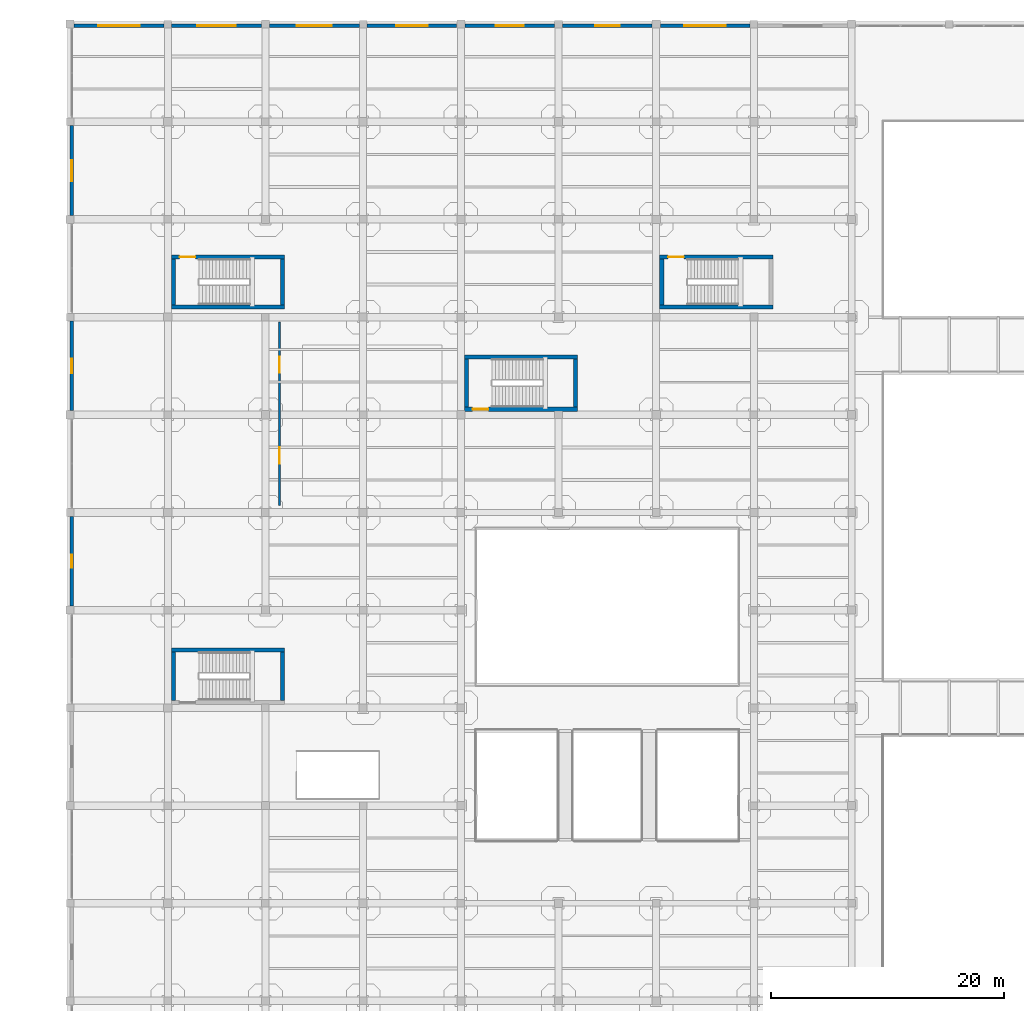
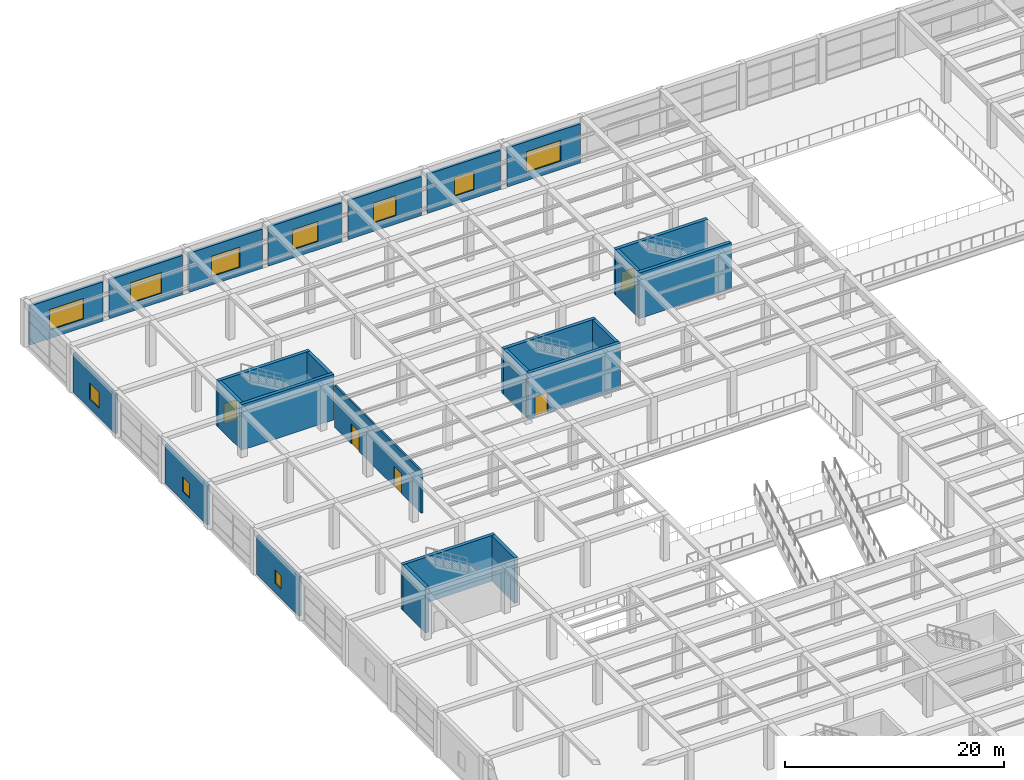
# One storey, part 49 of 65: 25 walls, 10 windows, 5 doors, 15 openings.
"""IFC4 building model written with IfcOpenShell, lengths in metres."""

import ifcopenshell
import ifcopenshell.guid

model = None  # the IFC model being written
_history = None  # IfcOwnerHistory: only IFC2X3 demands one
_inside = {}  # id of a spatial element -> (the spatial element, [elements in it])
_under = {}  # id of a project, library or spatial element -> (it, [spatial elements below it])
_declared = {}  # id of a project -> (the project, [libraries it declares])
_typed = {}  # id of a type object -> (the type object, [elements of that type])
_made_of = {}  # id of a material, layer set ... -> (it, [elements and type objects made of it])


def new_model(schema):
    """Start an empty IFC model of exactly this schema.

    Asked for "IFC4X3", IfcOpenShell would pick the latest addendum, in which some entities
    have other attributes; the version numbers below select the first issue.
    IFC2X3 requires an IfcOwnerHistory on every rooted entity: one is made here for all.
    """
    global model, _history
    if schema == "IFC4X3":
        model = ifcopenshell.file(schema_version=(4, 3, 0, 0))
    else:
        model = ifcopenshell.file(schema=schema)
    _inside.clear()
    _under.clear()
    _declared.clear()
    _typed.clear()
    _made_of.clear()
    _history = None
    if model.schema == "IFC2X3":
        org = make("IfcOrganization", Name="unknown")
        user = make(
            "IfcPersonAndOrganization",
            ThePerson=make("IfcPerson", FamilyName="unknown"),
            TheOrganization=org,
        )
        app = make(
            "IfcApplication",
            ApplicationDeveloper=org,
            Version="unknown",
            ApplicationFullName="unknown",
            ApplicationIdentifier="unknown",
        )
        _history = make(
            "IfcOwnerHistory",
            OwningUser=user,
            OwningApplication=app,
            ChangeAction="ADDED",
            CreationDate=0,
        )
    return model


def make(cls, **values):
    """One entity of the class cls with the attributes given. An attribute that is None is left unset."""
    return model.create_entity(
        cls, **{name: value for name, value in values.items() if value is not None}
    )


def rooted(cls, **values):
    """An entity with a GlobalId (a new one), such as an element, a storey or a relation."""
    return make(cls, GlobalId=ifcopenshell.guid.new(), OwnerHistory=_history, **values)


def si_unit(unit_type, name, prefix=None):
    """IfcSIUnit, for example si_unit("LENGTHUNIT", "METRE", prefix="MILLI")."""
    return make("IfcSIUnit", UnitType=unit_type, Prefix=prefix, Name=name)


def assignment(units):
    """IfcUnitAssignment: the units of a project."""
    return None if units is None else make("IfcUnitAssignment", Units=units)


def point(xyz):
    """IfcCartesianPoint."""
    return None if xyz is None else make("IfcCartesianPoint", Coordinates=xyz)


def direction(xyz):
    """IfcDirection."""
    return None if xyz is None else make("IfcDirection", DirectionRatios=xyz)


def frame(location, z_axis=None, x_axis=None):
    """IfcAxis2Placement3D, a coordinate frame: its origin and axes. An axis left out is left unset."""
    return make(
        "IfcAxis2Placement3D",
        Location=point(location),
        Axis=direction(z_axis),
        RefDirection=direction(x_axis),
    )


def frame_2d(location, x_axis=None):
    """IfcAxis2Placement2D, a coordinate frame in the plane: its origin and x axis."""
    return make(
        "IfcAxis2Placement2D", Location=point(location), RefDirection=direction(x_axis)
    )


def origin():
    """The frame at (0, 0, 0) with its axes left unset."""
    return frame((0.0, 0.0, 0.0))


def place(relative_to, where):
    """IfcLocalPlacement: puts the frame where relative to a parent placement (None: the world)."""
    return make(
        "IfcLocalPlacement", PlacementRelTo=relative_to, RelativePlacement=where
    )


def context(
    kind, dimensions, precision=None, world=None, true_north=None, identifier=None
):
    """IfcGeometricRepresentationContext, for example the 3D "Model" context."""
    return make(
        "IfcGeometricRepresentationContext",
        ContextIdentifier=identifier,
        ContextType=kind,
        CoordinateSpaceDimension=dimensions,
        Precision=precision,
        WorldCoordinateSystem=world,
        TrueNorth=true_north,
    )


def subcontext(parent, identifier, kind, view, scale=None):
    """IfcGeometricRepresentationSubContext, for example "Body" below "Model"."""
    return make(
        "IfcGeometricRepresentationSubContext",
        ContextIdentifier=identifier,
        ContextType=kind,
        ParentContext=parent,
        TargetScale=scale,
        TargetView=view,
    )


def project(units=None, contexts=None):
    """IfcProject with its units and contexts."""
    return rooted(
        "IfcProject",
        Name="project",
        RepresentationContexts=contexts,
        UnitsInContext=assignment(units),
    )


def spatial(cls, under=None, at=None, **own):
    """A site, building, storey or space (cls), placed at a placement, below another one or the project."""
    s = rooted(cls, ObjectPlacement=at, **own)
    if under is not None:
        _under.setdefault(under.id(), (under, []))[1].append(s)
    return s


def profile(cls, at=None, kind="AREA", **sizes):
    """A parametric profile (cls). Its sizes go by their IFC names, for example OverallWidth=200.0."""
    return make(cls, ProfileType=kind, Position=at, **sizes)


def rectangle(**sizes):
    """IfcRectangleProfileDef."""
    return profile("IfcRectangleProfileDef", **sizes)


def extrude(swept, where, along, depth):
    """IfcExtrudedAreaSolid: the profile swept, set in the frame where, extruded along a direction by depth."""
    return make(
        "IfcExtrudedAreaSolid",
        SweptArea=swept,
        Position=where,
        ExtrudedDirection=direction(along),
        Depth=depth,
    )


def shape(context_of_items, identifier, shape_type, items):
    """IfcShapeRepresentation: the items that make up one representation, for example the "Body"."""
    return make(
        "IfcShapeRepresentation",
        ContextOfItems=context_of_items,
        RepresentationIdentifier=identifier,
        RepresentationType=shape_type,
        Items=items,
    )


def material(Name=None, Category=None):
    """IfcMaterial."""
    return make("IfcMaterial", Name=Name, Category=Category)


def layer(
    of_material, thickness, ventilated=None, Name=None, Category=None, Priority=None
):
    """IfcMaterialLayer: one layer of a wall or slab, of a material (None: an air gap)."""
    return make(
        "IfcMaterialLayer",
        Material=of_material,
        LayerThickness=thickness,
        IsVentilated=ventilated,
        Name=Name,
        Category=Category,
        Priority=Priority,
    )


def layer_set(layers, Name=None):
    """IfcMaterialLayerSet."""
    return make("IfcMaterialLayerSet", MaterialLayers=layers, LayerSetName=Name)


def made_of(thing, what):
    """Note that an element or type object is made of a material, layer set ...; save() writes the relation."""
    if what is not None:
        _made_of.setdefault(what.id(), (what, []))[1].append(thing)
    return thing


def type_object(cls, material=None, **own):
    """A type object (cls), such as IfcWallType, which elements share."""
    return made_of(rooted(cls, **own), material)


def element(
    cls,
    number,
    at=None,
    inside=None,
    cuts=None,
    type_object=None,
    material=None,
    context=None,
    identifier="Body",
    shape_type=None,
    held_by="IfcProductDefinitionShape",
    body=None,
    shapes=None,
    **own,
):
    """One element of the class cls, such as IfcWall. Its Tag is "e" and its number.

    at: its placement. inside: the storey or other place that contains it. cuts: it is an
    opening in that element (IfcRelVoidsElement). A single representation is given by context,
    identifier, shape_type and body (its items); several are given by shapes. held_by: the class
    of the entity that holds the representations. save() writes the other relations.
    """
    e = rooted(cls, Tag="e%d" % number, ObjectPlacement=at, **own)
    if body is not None:
        shapes = [shape(context, identifier, shape_type, body)]
    if shapes is not None:
        e.Representation = make(held_by, Representations=shapes)
    if inside is not None:
        _inside.setdefault(inside.id(), (inside, []))[1].append(e)
    if cuts is not None:
        rooted(
            "IfcRelVoidsElement", RelatingBuildingElement=cuts, RelatedOpeningElement=e
        )
    if type_object is not None:
        _typed.setdefault(type_object.id(), (type_object, []))[1].append(e)
    return made_of(e, material)


def fill(opening, filler):
    """IfcRelFillsElement: the door or window that sits in an opening."""
    return rooted(
        "IfcRelFillsElement",
        RelatingOpeningElement=opening,
        RelatedBuildingElement=filler,
    )


def aggregate(whole, parts):
    """IfcRelAggregates: a whole, such as a stair, and the parts it consists of."""
    return rooted("IfcRelAggregates", RelatingObject=whole, RelatedObjects=parts)


def save(model, path):
    """Write the relations noted so far, then the file.

    IfcRelAggregates (storeys below a building ...), IfcRelContainedInSpatialStructure (elements
    in a storey), IfcRelDefinesByType, IfcRelAssociatesMaterial and IfcRelDeclares: one each for
    every whole, place, type object, material and project.
    """
    for whole, parts in _under.values():
        aggregate(whole, parts)
    for where, things in _inside.values():
        rooted(
            "IfcRelContainedInSpatialStructure",
            RelatedElements=things,
            RelatingStructure=where,
        )
    for kind, things in _typed.values():
        rooted("IfcRelDefinesByType", RelatedObjects=things, RelatingType=kind)
    for what, things in _made_of.values():
        rooted("IfcRelAssociatesMaterial", RelatedObjects=things, RelatingMaterial=what)
    for by, libraries in _declared.values():
        rooted("IfcRelDeclares", RelatingContext=by, RelatedDefinitions=libraries)
    model.write(path)


model = new_model("IFC4")

# Units and contexts
model_context = context("Model", 3, precision=1e-05, world=origin(), true_north=direction((0.0, 1.0)))
body_context = subcontext(model_context, "Body", "Model", "MODEL_VIEW")
ifc_project = project(units=[si_unit("LENGTHUNIT", "METRE"), si_unit("AREAUNIT", "SQUARE_METRE"), si_unit("VOLUMEUNIT", "CUBIC_METRE"), si_unit("PLANEANGLEUNIT", "RADIAN"), si_unit("MASSUNIT", "GRAM", prefix="KILO")], contexts=[model_context])

# Site, building, storey
site_placement = place(None, origin())
site = spatial("IfcSite", under=ifc_project, at=site_placement, CompositionType="ELEMENT")
building_placement = place(site_placement, origin())
building = spatial("IfcBuilding", under=site, at=building_placement, Name="Almacenes y Pasaje Nevantli", CompositionType="ELEMENT")
storey_placement = place(building_placement, frame((0.0, 0.0, 16.800048828125)))
storey = spatial("IfcBuildingStorey", under=building, at=storey_placement, Name="L04", CompositionType="ELEMENT", Elevation=16.800048828125)

# Wall, openings, doors
ifc_material_1 = material(Name="Insulated Double-Gypsum Fire Partition", Category="gypsum")
ifc_layer_1 = layer(ifc_material_1, 0.179931640625)
ifc_layer_set_1 = layer_set([ifc_layer_1], Name="Insulated Double-Gypsum Fire Partition")
wall_type_1 = type_object("IfcWallType", Name="WL-COMP-180", PredefinedType="PARTITIONING", material=ifc_layer_set_1)
wall_1_placement = place(storey_placement, frame((18.0, 76.199951171875, 0.0), z_axis=(0.0, 0.0, 1.0), x_axis=(0.0, 1.0, 0.0)))
wall_1 = element("IfcWall", 1, at=wall_1_placement, inside=storey, type_object=wall_type_1, Name="L04 Interior Partition Wall IW-180 #93", PredefinedType="PARTITIONING", context=body_context, shape_type="SweptSolid", body=[
    extrude(rectangle(XDim=15.800048828125, YDim=0.179931640625, at=frame_2d((7.89990234375, 0.0))), origin(), (0.0, 0.0, 1.0), 4.719970703125),
])
opening_1_placement = place(wall_1_placement, frame((3.60009765625, 0.0, 0.0)))
opening_1 = element("IfcOpeningElement", 2, at=opening_1_placement, cuts=wall_1, Name="Opening ID-L04-044", PredefinedType="OPENING", context=body_context, shape_type="SweptSolid", body=[
    extrude(rectangle(XDim=1.39990234375, YDim=2.25, at=frame_2d((0.699951171875, 1.125))), frame((0.0, 0.099853515625, 0.0), z_axis=(0.0, -1.0, 0.0), x_axis=(1.0, 0.0, 0.0)), (0.0, 0.0, 1.0), 0.199951171875),
])
opening_2_placement = place(wall_1_placement, frame((11.39990234375, 0.0, 0.0)))
opening_2 = element("IfcOpeningElement", 3, at=opening_2_placement, cuts=wall_1, Name="Opening ID-L04-045", PredefinedType="OPENING", context=body_context, shape_type="SweptSolid", body=[
    extrude(rectangle(XDim=1.39990234375, YDim=2.25, at=frame_2d((0.699951171875, 1.125))), frame((0.0, 0.099853515625, 0.0), z_axis=(0.0, -1.0, 0.0), x_axis=(1.0, 0.0, 0.0)), (0.0, 0.0, 1.0), 0.199951171875),
])
ifc_material_2 = material(Name="Galvanized Fire-Rated Steel", Category="steel")
door_type_1 = type_object("IfcDoorType", Name="DR-FD60-1400", OperationType="DOUBLE_DOOR_SINGLE_SWING", PredefinedType="DOOR", material=ifc_material_2)
door_1_placement = place(opening_1_placement, origin())
door_1 = element("IfcDoor", 4, at=door_1_placement, inside=storey, type_object=door_type_1, Name="L04 L04 Culinary Kitchen Service Door 1", OperationType="DOUBLE_DOOR_SINGLE_SWING", OverallHeight=2.25, OverallWidth=1.39990234375, PredefinedType="DOOR", context=body_context, shape_type="SweptSolid", body=[
    extrude(rectangle(XDim=1.39990234375, YDim=2.25, at=frame_2d((0.699951171875, 1.125))), frame((0.0, 0.02490234375, 0.0), z_axis=(0.0, -1.0, 0.0), x_axis=(1.0, 0.0, 0.0)), (0.0, 0.0, 1.0), 0.050048828125),
])
fill(opening_1, door_1)
door_2_placement = place(opening_2_placement, origin())
door_2 = element("IfcDoor", 5, at=door_2_placement, inside=storey, type_object=door_type_1, Name="L04 L04 Culinary Kitchen Service Door 2", OperationType="DOUBLE_DOOR_SINGLE_SWING", OverallHeight=2.25, OverallWidth=1.39990234375, PredefinedType="DOOR", context=body_context, shape_type="SweptSolid", body=[
    extrude(rectangle(XDim=1.39990234375, YDim=2.25, at=frame_2d((0.699951171875, 1.125))), frame((0.0, 0.02490234375, 0.0), z_axis=(0.0, -1.0, 0.0), x_axis=(1.0, 0.0, 0.0)), (0.0, 0.0, 1.0), 0.050048828125),
])
fill(opening_2, door_2)

# Wall
ifc_material_3 = material(Name="Concrete C45/55", Category="concrete")
ifc_layer_2 = layer(ifc_material_3, 0.35009765625)
ifc_layer_set_2 = layer_set([ifc_layer_2], Name="Concrete C45/55")
wall_type_2 = type_object("IfcWallType", Name="WL-CORE-350", PredefinedType="SHEAR", material=ifc_layer_set_2)
wall_2_placement = place(storey_placement, frame((8.699951171875, 93.27490234375, 0.0), z_axis=(0.0, 0.0, 1.0), x_axis=(1.0, 0.0, 0.0)))
element("IfcWall", 6, at=wall_2_placement, inside=storey, type_object=wall_type_2, Name="L04 Exit Stair ST-03 South Core Shear Wall", PredefinedType="SHEAR", context=body_context, shape_type="SweptSolid", body=[
    extrude(rectangle(XDim=9.75, YDim=0.35009765625, at=frame_2d((4.875, 0.0))), origin(), (0.0, 0.0, 1.0), 5.099853515625),
])

# Wall, opening, door
wall_3_placement = place(storey_placement, frame((8.699951171875, 97.574951171875, 0.0), z_axis=(0.0, 0.0, 1.0), x_axis=(1.0, 0.0, 0.0)))
wall_3 = element("IfcWall", 7, at=wall_3_placement, inside=storey, type_object=wall_type_2, Name="L04 Exit Stair ST-03 North Core Shear Wall", PredefinedType="SHEAR", context=body_context, shape_type="SweptSolid", body=[
    extrude(rectangle(XDim=9.75, YDim=0.35009765625, at=frame_2d((4.875, 0.0))), origin(), (0.0, 0.0, 1.0), 5.099853515625),
])
opening_3_placement = place(wall_3_placement, frame((0.719970703125, 0.0, 0.0)))
opening_3 = element("IfcOpeningElement", 8, at=opening_3_placement, cuts=wall_3, Name="Opening SD-03-L04", PredefinedType="OPENING", context=body_context, shape_type="SweptSolid", body=[
    extrude(rectangle(XDim=1.35009765625, YDim=2.25, at=frame_2d((0.675048828125, 1.125))), frame((0.0, 0.18505859375, 0.0), z_axis=(0.0, -1.0, 0.0), x_axis=(1.0, 0.0, 0.0)), (0.0, 0.0, 1.0), 0.3701171875),
])
ifc_material_4 = material(Name="Galvanized Fire-Rated Steel", Category="steel")
door_type_2 = type_object("IfcDoorType", Name="DR-STAIR-1350", OperationType="SINGLE_SWING_LEFT", PredefinedType="DOOR", material=ifc_material_4)
door_3_placement = place(opening_3_placement, origin())
door_3 = element("IfcDoor", 9, at=door_3_placement, inside=storey, type_object=door_type_2, Name="L04 Smokeproof Exit Stair ST-03 Fire Door", OperationType="SINGLE_SWING_LEFT", OverallHeight=2.25, OverallWidth=1.35009765625, PredefinedType="DOOR", context=body_context, shape_type="SweptSolid", body=[
    extrude(rectangle(XDim=1.35009765625, YDim=2.25, at=frame_2d((0.675048828125, 1.125))), frame((0.0, 0.02490234375, 0.0), z_axis=(0.0, -1.0, 0.0), x_axis=(1.0, 0.0, 0.0)), (0.0, 0.0, 1.0), 0.050048828125),
])
fill(opening_3, door_3)

# Walls
for number, where, z_axis, x_axis, name in (
    (10, (8.875, 93.449951171875, 0.0), (0.0, 0.0, 1.0), (0.0, 1.0, 0.0), "L04 Exit Stair ST-03 West Core Shear Wall"),
    (11, (18.27490234375, 93.449951171875, 0.0), (0.0, 0.0, 1.0), (0.0, 1.0, 0.0), "L04 Exit Stair ST-03 East Core Shear Wall"),
):
    element("IfcWall", number, at=place(storey_placement, frame(where, z_axis=z_axis, x_axis=x_axis)), inside=storey, type_object=wall_type_2, Name=name, PredefinedType="SHEAR", context=body_context, shape_type="SweptSolid", body=[
        extrude(rectangle(XDim=3.949951171875, YDim=0.35009765625, at=frame_2d((1.97509765625, 0.0))), origin(), (0.0, 0.0, 1.0), 5.099853515625),
    ])
wall_4_placement = place(storey_placement, frame((50.699951171875, 93.27490234375, 0.0), z_axis=(0.0, 0.0, 1.0), x_axis=(1.0, 0.0, 0.0)))
element("IfcWall", 12, at=wall_4_placement, inside=storey, type_object=wall_type_2, Name="L04 Exit Stair ST-05 South Core Shear Wall", PredefinedType="SHEAR", context=body_context, shape_type="SweptSolid", body=[
    extrude(rectangle(XDim=9.75, YDim=0.35009765625, at=frame_2d((4.875, 0.0))), origin(), (0.0, 0.0, 1.0), 5.099853515625),
])

# Wall, opening, door
wall_5_placement = place(storey_placement, frame((50.699951171875, 97.574951171875, 0.0), z_axis=(0.0, 0.0, 1.0), x_axis=(1.0, 0.0, 0.0)))
wall_5 = element("IfcWall", 13, at=wall_5_placement, inside=storey, type_object=wall_type_2, Name="L04 Exit Stair ST-05 North Core Shear Wall", PredefinedType="SHEAR", context=body_context, shape_type="SweptSolid", body=[
    extrude(rectangle(XDim=9.75, YDim=0.35009765625, at=frame_2d((4.875, 0.0))), origin(), (0.0, 0.0, 1.0), 5.099853515625),
])
opening_4_placement = place(wall_5_placement, frame((0.719970703125, 0.0, 0.0)))
opening_4 = element("IfcOpeningElement", 14, at=opening_4_placement, cuts=wall_5, Name="Opening SD-05-L04", PredefinedType="OPENING", context=body_context, shape_type="SweptSolid", body=[
    extrude(rectangle(XDim=1.35009765625, YDim=2.25, at=frame_2d((0.675048828125, 1.125))), frame((0.0, 0.18505859375, 0.0), z_axis=(0.0, -1.0, 0.0), x_axis=(1.0, 0.0, 0.0)), (0.0, 0.0, 1.0), 0.3701171875),
])
door_4_placement = place(opening_4_placement, origin())
door_4 = element("IfcDoor", 15, at=door_4_placement, inside=storey, type_object=door_type_2, Name="L04 Smokeproof Exit Stair ST-05 Fire Door", OperationType="SINGLE_SWING_LEFT", OverallHeight=2.25, OverallWidth=1.35009765625, PredefinedType="DOOR", context=body_context, shape_type="SweptSolid", body=[
    extrude(rectangle(XDim=1.35009765625, YDim=2.25, at=frame_2d((0.675048828125, 1.125))), frame((0.0, 0.02490234375, 0.0), z_axis=(0.0, -1.0, 0.0), x_axis=(1.0, 0.0, 0.0)), (0.0, 0.0, 1.0), 0.050048828125),
])
fill(opening_4, door_4)

# Walls
wall_6_placement = place(storey_placement, frame((50.875, 93.449951171875, 0.0), z_axis=(0.0, 0.0, 1.0), x_axis=(0.0, 1.0, 0.0)))
element("IfcWall", 16, at=wall_6_placement, inside=storey, type_object=wall_type_2, Name="L04 Exit Stair ST-05 West Core Shear Wall", PredefinedType="SHEAR", context=body_context, shape_type="SweptSolid", body=[
    extrude(rectangle(XDim=3.949951171875, YDim=0.35009765625, at=frame_2d((1.97509765625, 0.0))), origin(), (0.0, 0.0, 1.0), 5.099853515625),
])
wall_7_placement = place(storey_placement, frame((8.699951171875, 63.77490234375, 0.0), z_axis=(0.0, 0.0, 1.0), x_axis=(1.0, 0.0, 0.0)))
element("IfcWall", 17, at=wall_7_placement, inside=storey, type_object=wall_type_2, Name="L04 Exit Stair ST-12 North Core Shear Wall", PredefinedType="SHEAR", context=body_context, shape_type="SweptSolid", body=[
    extrude(rectangle(XDim=9.75, YDim=0.35009765625, at=frame_2d((4.875, 0.0))), origin(), (0.0, 0.0, 1.0), 5.099853515625),
])
for number, where, z_axis, x_axis, name in (
    (18, (8.875, 59.449951171875, 0.0), (0.0, 0.0, 1.0), (0.0, 1.0, 0.0), "L04 Exit Stair ST-12 West Core Shear Wall"),
    (19, (18.27490234375, 59.449951171875, 0.0), (0.0, 0.0, 1.0), (0.0, 1.0, 0.0), "L04 Exit Stair ST-12 East Core Shear Wall"),
):
    element("IfcWall", number, at=place(storey_placement, frame(where, z_axis=z_axis, x_axis=x_axis)), inside=storey, type_object=wall_type_2, Name=name, PredefinedType="SHEAR", context=body_context, shape_type="SweptSolid", body=[
        extrude(rectangle(XDim=4.150146484375, YDim=0.35009765625, at=frame_2d((2.0751953125, 0.0))), origin(), (0.0, 0.0, 1.0), 5.099853515625),
    ])

# Wall, opening, door
wall_8_placement = place(storey_placement, frame((33.89990234375, 84.47509765625, 0.0), z_axis=(0.0, 0.0, 1.0), x_axis=(1.0, 0.0, 0.0)))
wall_8 = element("IfcWall", 20, at=wall_8_placement, inside=storey, type_object=wall_type_2, Name="L04 Exit Stair ST-15 South Core Shear Wall", PredefinedType="SHEAR", context=body_context, shape_type="SweptSolid", body=[
    extrude(rectangle(XDim=9.75, YDim=0.35009765625, at=frame_2d((4.875, 0.0))), origin(), (0.0, 0.0, 1.0), 5.099853515625),
])
opening_5_placement = place(wall_8_placement, frame((0.719970703125, 0.0, 0.0)))
opening_5 = element("IfcOpeningElement", 21, at=opening_5_placement, cuts=wall_8, Name="Opening SD-15-L04", PredefinedType="OPENING", context=body_context, shape_type="SweptSolid", body=[
    extrude(rectangle(XDim=1.35009765625, YDim=2.25, at=frame_2d((0.675048828125, 1.125))), frame((0.0, 0.18505859375, 0.0), z_axis=(0.0, -1.0, 0.0), x_axis=(1.0, 0.0, 0.0)), (0.0, 0.0, 1.0), 0.3701171875),
])
door_5_placement = place(opening_5_placement, origin())
door_5 = element("IfcDoor", 22, at=door_5_placement, inside=storey, type_object=door_type_2, Name="L04 Smokeproof Exit Stair ST-15 Fire Door", OperationType="SINGLE_SWING_LEFT", OverallHeight=2.25, OverallWidth=1.35009765625, PredefinedType="DOOR", context=body_context, shape_type="SweptSolid", body=[
    extrude(rectangle(XDim=1.35009765625, YDim=2.25, at=frame_2d((0.675048828125, 1.125))), frame((0.0, 0.02490234375, 0.0), z_axis=(0.0, -1.0, 0.0), x_axis=(1.0, 0.0, 0.0)), (0.0, 0.0, 1.0), 0.050048828125),
])
fill(opening_5, door_5)

# Walls
wall_9_placement = place(storey_placement, frame((33.89990234375, 88.97509765625, 0.0), z_axis=(0.0, 0.0, 1.0), x_axis=(1.0, 0.0, 0.0)))
element("IfcWall", 23, at=wall_9_placement, inside=storey, type_object=wall_type_2, Name="L04 Exit Stair ST-15 North Core Shear Wall", PredefinedType="SHEAR", context=body_context, shape_type="SweptSolid", body=[
    extrude(rectangle(XDim=9.75, YDim=0.35009765625, at=frame_2d((4.875, 0.0))), origin(), (0.0, 0.0, 1.0), 5.099853515625),
])
for number, where, z_axis, x_axis, name in (
    (24, (34.074951171875, 84.64990234375, 0.0), (0.0, 0.0, 1.0), (0.0, 1.0, 0.0), "L04 Exit Stair ST-15 West Core Shear Wall"),
    (25, (43.47509765625, 84.64990234375, 0.0), (0.0, 0.0, 1.0), (0.0, 1.0, 0.0), "L04 Exit Stair ST-15 East Core Shear Wall"),
):
    element("IfcWall", number, at=place(storey_placement, frame(where, z_axis=z_axis, x_axis=x_axis)), inside=storey, type_object=wall_type_2, Name=name, PredefinedType="SHEAR", context=body_context, shape_type="SweptSolid", body=[
        extrude(rectangle(XDim=4.150146484375, YDim=0.35009765625, at=frame_2d((2.0751953125, 0.0))), origin(), (0.0, 0.0, 1.0), 5.099853515625),
    ])

# Wall, opening, window
ifc_material_5 = material(Name="Architectural Precast Concrete C35/45 Spandrel Wall", Category="concrete")
ifc_layer_3 = layer(ifc_material_5, 0.280029296875)
ifc_layer_set_3 = layer_set([ifc_layer_3], Name="Architectural Precast Concrete C35/45 Spandrel Wall")
wall_type_3 = type_object("IfcWallType", Name="WL-EXT-CANTERA-280", PredefinedType="SOLIDWALL", material=ifc_layer_set_3)
wall_10_placement = place(storey_placement, frame((0.35400390625, 117.449951171875, 0.0), z_axis=(0.0, 0.0, 1.0), x_axis=(1.0, 0.0, 0.0)))
wall_10 = element("IfcWall", 26, at=wall_10_placement, inside=storey, type_object=wall_type_3, Name="L04 Boulevard Frieze Oculus Wall Bay 1", PredefinedType="SOLIDWALL", context=body_context, shape_type="SweptSolid", body=[
    extrude(rectangle(XDim=7.718017578125, YDim=0.280029296875, at=frame_2d((3.85888671875, 0.0))), origin(), (0.0, 0.0, 1.0), 4.3798828125),
])
opening_6_placement = place(wall_10_placement, frame((2.0458984375, 0.0, 0.949951171875)))
opening_6 = element("IfcOpeningElement", 27, at=opening_6_placement, cuts=wall_10, Name="Opening WT-01-128", PredefinedType="OPENING", context=body_context, shape_type="SweptSolid", body=[
    extrude(rectangle(XDim=3.60009765625, YDim=2.300048828125, at=frame_2d((1.800048828125, 1.14990234375))), frame((0.0, 0.14990234375, 0.0), z_axis=(0.0, -1.0, 0.0), x_axis=(1.0, 0.0, 0.0)), (0.0, 0.0, 1.0), 0.300048828125),
])
ifc_material_6 = material(Name="Thermally Broken Aluminium and Low-E Double Glazing", Category="aluminium")
window_type_1 = type_object("IfcWindowType", Name="WN-OCU-3600", PartitioningType="SINGLE_PANEL", PredefinedType="WINDOW", material=ifc_material_6)
window_1_placement = place(opening_6_placement, origin())
window_1 = element("IfcWindow", 28, at=window_1_placement, inside=storey, type_object=window_type_1, Name="L04 Exterior Window WT-01 #128", OverallHeight=2.300048828125, OverallWidth=3.60009765625, PartitioningType="SINGLE_PANEL", PredefinedType="WINDOW", context=body_context, shape_type="SweptSolid", body=[
    extrude(rectangle(XDim=3.60009765625, YDim=2.300048828125, at=frame_2d((1.800048828125, 1.14990234375))), frame((0.0, 0.030029296875, 0.0), z_axis=(0.0, -1.0, 0.0), x_axis=(1.0, 0.0, 0.0)), (0.0, 0.0, 1.0), 0.06005859375),
])
fill(opening_6, window_1)

wall_11_placement = place(storey_placement, frame((8.72802734375, 117.449951171875, 0.0), z_axis=(0.0, 0.0, 1.0), x_axis=(1.0, 0.0, 0.0)))
wall_11 = element("IfcWall", 29, at=wall_11_placement, inside=storey, type_object=wall_type_3, Name="L04 Boulevard Frieze Oculus Wall Bay 2", PredefinedType="SOLIDWALL", context=body_context, shape_type="SweptSolid", body=[
    extrude(rectangle(XDim=7.718017578125, YDim=0.280029296875, at=frame_2d((3.85888671875, 0.0))), origin(), (0.0, 0.0, 1.0), 4.3798828125),
])
opening_7_placement = place(wall_11_placement, frame((2.221923828125, 0.0, 0.949951171875)))
opening_7 = element("IfcOpeningElement", 30, at=opening_7_placement, cuts=wall_11, Name="Opening WT-02-129", PredefinedType="OPENING", context=body_context, shape_type="SweptSolid", body=[
    extrude(rectangle(XDim=3.300048828125, YDim=2.300048828125, at=frame_2d((1.64990234375, 1.14990234375))), frame((0.0, 0.14990234375, 0.0), z_axis=(0.0, -1.0, 0.0), x_axis=(1.0, 0.0, 0.0)), (0.0, 0.0, 1.0), 0.300048828125),
])
ifc_material_7 = material(Name="Thermally Broken Aluminium and Low-E Double Glazing", Category="aluminium")
window_type_2 = type_object("IfcWindowType", Name="WN-OCU-3300", PartitioningType="SINGLE_PANEL", PredefinedType="WINDOW", material=ifc_material_7)
window_2_placement = place(opening_7_placement, origin())
window_2 = element("IfcWindow", 31, at=window_2_placement, inside=storey, type_object=window_type_2, Name="L04 Exterior Window WT-02 #129", OverallHeight=2.300048828125, OverallWidth=3.300048828125, PartitioningType="SINGLE_PANEL", PredefinedType="WINDOW", context=body_context, shape_type="SweptSolid", body=[
    extrude(rectangle(XDim=3.300048828125, YDim=2.300048828125, at=frame_2d((1.64990234375, 1.14990234375))), frame((0.0, 0.030029296875, 0.0), z_axis=(0.0, -1.0, 0.0), x_axis=(1.0, 0.0, 0.0)), (0.0, 0.0, 1.0), 0.06005859375),
])
fill(opening_7, window_2)

wall_12_placement = place(storey_placement, frame((17.154052734375, 117.449951171875, 0.0), z_axis=(0.0, 0.0, 1.0), x_axis=(1.0, 0.0, 0.0)))
wall_12 = element("IfcWall", 32, at=wall_12_placement, inside=storey, type_object=wall_type_3, Name="L04 Boulevard Frieze Oculus Wall Bay 3", PredefinedType="SOLIDWALL", context=body_context, shape_type="SweptSolid", body=[
    extrude(rectangle(XDim=7.718017578125, YDim=0.280029296875, at=frame_2d((3.85888671875, 0.0))), origin(), (0.0, 0.0, 1.0), 4.3798828125),
])
opening_8_placement = place(wall_12_placement, frame((2.345947265625, 0.0, 0.949951171875)))
opening_8 = element("IfcOpeningElement", 33, at=opening_8_placement, cuts=wall_12, Name="Opening WT-03-130", PredefinedType="OPENING", context=body_context, shape_type="SweptSolid", body=[
    extrude(rectangle(XDim=3.0, YDim=2.25, at=frame_2d((1.5, 1.125))), frame((0.0, 0.14990234375, 0.0), z_axis=(0.0, -1.0, 0.0), x_axis=(1.0, 0.0, 0.0)), (0.0, 0.0, 1.0), 0.300048828125),
])
ifc_material_8 = material(Name="Thermally Broken Aluminium and Low-E Double Glazing", Category="aluminium")
window_type_3 = type_object("IfcWindowType", Name="WN-OCU-3000", PartitioningType="SINGLE_PANEL", PredefinedType="WINDOW", material=ifc_material_8)
window_3_placement = place(opening_8_placement, origin())
window_3 = element("IfcWindow", 34, at=window_3_placement, inside=storey, type_object=window_type_3, Name="L04 Exterior Window WT-03 #130", OverallHeight=2.25, OverallWidth=3.0, PartitioningType="SINGLE_PANEL", PredefinedType="WINDOW", context=body_context, shape_type="SweptSolid", body=[
    extrude(rectangle(XDim=3.0, YDim=2.25, at=frame_2d((1.5, 1.125))), frame((0.0, 0.030029296875, 0.0), z_axis=(0.0, -1.0, 0.0), x_axis=(1.0, 0.0, 0.0)), (0.0, 0.0, 1.0), 0.06005859375),
])
fill(opening_8, window_3)

wall_13_placement = place(storey_placement, frame((25.528076171875, 117.449951171875, 0.0), z_axis=(0.0, 0.0, 1.0), x_axis=(1.0, 0.0, 0.0)))
wall_13 = element("IfcWall", 35, at=wall_13_placement, inside=storey, type_object=wall_type_3, Name="L04 Boulevard Frieze Oculus Wall Bay 4", PredefinedType="SOLIDWALL", context=body_context, shape_type="SweptSolid", body=[
    extrude(rectangle(XDim=7.719970703125, YDim=0.280029296875, at=frame_2d((3.85986328125, 0.0))), origin(), (0.0, 0.0, 1.0), 4.3798828125),
])
opening_9_placement = place(wall_13_placement, frame((2.52197265625, 0.0, 0.949951171875)))
opening_9 = element("IfcOpeningElement", 36, at=opening_9_placement, cuts=wall_13, Name="Opening WT-04-131", PredefinedType="OPENING", context=body_context, shape_type="SweptSolid", body=[
    extrude(rectangle(XDim=2.699951171875, YDim=2.199951171875, at=frame_2d((1.35009765625, 1.10009765625))), frame((0.0, 0.14990234375, 0.0), z_axis=(0.0, -1.0, 0.0), x_axis=(1.0, 0.0, 0.0)), (0.0, 0.0, 1.0), 0.300048828125),
])
ifc_material_9 = material(Name="Thermally Broken Aluminium and Low-E Double Glazing", Category="aluminium")
window_type_4 = type_object("IfcWindowType", Name="WN-OCU-2700", PartitioningType="SINGLE_PANEL", PredefinedType="WINDOW", material=ifc_material_9)
window_4_placement = place(opening_9_placement, origin())
window_4 = element("IfcWindow", 37, at=window_4_placement, inside=storey, type_object=window_type_4, Name="L04 Exterior Window WT-04 #131", OverallHeight=2.199951171875, OverallWidth=2.699951171875, PartitioningType="SINGLE_PANEL", PredefinedType="WINDOW", context=body_context, shape_type="SweptSolid", body=[
    extrude(rectangle(XDim=2.699951171875, YDim=2.199951171875, at=frame_2d((1.35009765625, 1.10009765625))), frame((0.0, 0.030029296875, 0.0), z_axis=(0.0, -1.0, 0.0), x_axis=(1.0, 0.0, 0.0)), (0.0, 0.0, 1.0), 0.06005859375),
])
fill(opening_9, window_4)

wall_14_placement = place(storey_placement, frame((33.9541015625, 117.449951171875, 0.0), z_axis=(0.0, 0.0, 1.0), x_axis=(1.0, 0.0, 0.0)))
wall_14 = element("IfcWall", 38, at=wall_14_placement, inside=storey, type_object=wall_type_3, Name="L04 Boulevard Frieze Oculus Wall Bay 5", PredefinedType="SOLIDWALL", context=body_context, shape_type="SweptSolid", body=[
    extrude(rectangle(XDim=7.718017578125, YDim=0.280029296875, at=frame_2d((3.85888671875, 0.0))), origin(), (0.0, 0.0, 1.0), 4.3798828125),
])
opening_10_placement = place(wall_14_placement, frame((2.64599609375, 0.0, 0.949951171875)))
opening_10 = element("IfcOpeningElement", 39, at=opening_10_placement, cuts=wall_14, Name="Opening WT-05-132", PredefinedType="OPENING", context=body_context, shape_type="SweptSolid", body=[
    extrude(rectangle(XDim=2.39990234375, YDim=2.199951171875, at=frame_2d((1.199951171875, 1.10009765625))), frame((0.0, 0.14990234375, 0.0), z_axis=(0.0, -1.0, 0.0), x_axis=(1.0, 0.0, 0.0)), (0.0, 0.0, 1.0), 0.300048828125),
])
ifc_material_10 = material(Name="Thermally Broken Aluminium and Low-E Double Glazing", Category="aluminium")
window_type_5 = type_object("IfcWindowType", Name="WN-OCU-2400", PartitioningType="SINGLE_PANEL", PredefinedType="WINDOW", material=ifc_material_10)
window_5_placement = place(opening_10_placement, origin())
window_5 = element("IfcWindow", 40, at=window_5_placement, inside=storey, type_object=window_type_5, Name="L04 Exterior Window WT-05 #132", OverallHeight=2.199951171875, OverallWidth=2.39990234375, PartitioningType="SINGLE_PANEL", PredefinedType="WINDOW", context=body_context, shape_type="SweptSolid", body=[
    extrude(rectangle(XDim=2.39990234375, YDim=2.199951171875, at=frame_2d((1.199951171875, 1.10009765625))), frame((0.0, 0.030029296875, 0.0), z_axis=(0.0, -1.0, 0.0), x_axis=(1.0, 0.0, 0.0)), (0.0, 0.0, 1.0), 0.06005859375),
])
fill(opening_10, window_5)

wall_15_placement = place(storey_placement, frame((42.327880859375, 117.449951171875, 0.0), z_axis=(0.0, 0.0, 1.0), x_axis=(1.0, 0.0, 0.0)))
wall_15 = element("IfcWall", 41, at=wall_15_placement, inside=storey, type_object=wall_type_3, Name="L04 Boulevard Frieze Oculus Wall Bay 6", PredefinedType="SOLIDWALL", context=body_context, shape_type="SweptSolid", body=[
    extrude(rectangle(XDim=7.718017578125, YDim=0.280029296875, at=frame_2d((3.85888671875, 0.0))), origin(), (0.0, 0.0, 1.0), 4.3798828125),
])
opening_11_placement = place(wall_15_placement, frame((2.822021484375, 0.0, 0.949951171875)))
opening_11 = element("IfcOpeningElement", 42, at=opening_11_placement, cuts=wall_15, Name="Opening WT-06-133", PredefinedType="OPENING", context=body_context, shape_type="SweptSolid", body=[
    extrude(rectangle(XDim=2.10009765625, YDim=2.10009765625, at=frame_2d((1.050048828125, 1.050048828125))), frame((0.0, 0.14990234375, 0.0), z_axis=(0.0, -1.0, 0.0), x_axis=(1.0, 0.0, 0.0)), (0.0, 0.0, 1.0), 0.300048828125),
])
ifc_material_11 = material(Name="Thermally Broken Aluminium and Low-E Double Glazing", Category="aluminium")
window_type_6 = type_object("IfcWindowType", Name="WN-OCU-2100", PartitioningType="SINGLE_PANEL", PredefinedType="WINDOW", material=ifc_material_11)
window_6_placement = place(opening_11_placement, origin())
window_6 = element("IfcWindow", 43, at=window_6_placement, inside=storey, type_object=window_type_6, Name="L04 Exterior Window WT-06 #133", OverallHeight=2.10009765625, OverallWidth=2.10009765625, PartitioningType="SINGLE_PANEL", PredefinedType="WINDOW", context=body_context, shape_type="SweptSolid", body=[
    extrude(rectangle(XDim=2.10009765625, YDim=2.10009765625, at=frame_2d((1.050048828125, 1.050048828125))), frame((0.0, 0.030029296875, 0.0), z_axis=(0.0, -1.0, 0.0), x_axis=(1.0, 0.0, 0.0)), (0.0, 0.0, 1.0), 0.06005859375),
])
fill(opening_11, window_6)

wall_16_placement = place(storey_placement, frame((50.751953125, 117.449951171875, 0.0), z_axis=(0.0, 0.0, 1.0), x_axis=(1.0, 0.0, 0.0)))
wall_16 = element("IfcWall", 44, at=wall_16_placement, inside=storey, type_object=wall_type_3, Name="L04 Boulevard Frieze Oculus Wall Bay 7", PredefinedType="SOLIDWALL", context=body_context, shape_type="SweptSolid", body=[
    extrude(rectangle(XDim=7.719970703125, YDim=0.280029296875, at=frame_2d((3.85986328125, 0.0))), origin(), (0.0, 0.0, 1.0), 4.3798828125),
])
opening_12_placement = place(wall_16_placement, frame((2.048095703125, 0.0, 0.949951171875)))
opening_12 = element("IfcOpeningElement", 45, at=opening_12_placement, cuts=wall_16, Name="Opening WT-01-134", PredefinedType="OPENING", context=body_context, shape_type="SweptSolid", body=[
    extrude(rectangle(XDim=3.60009765625, YDim=2.300048828125, at=frame_2d((1.800048828125, 1.14990234375))), frame((0.0, 0.14990234375, 0.0), z_axis=(0.0, -1.0, 0.0), x_axis=(1.0, 0.0, 0.0)), (0.0, 0.0, 1.0), 0.300048828125),
])
window_7_placement = place(opening_12_placement, origin())
window_7 = element("IfcWindow", 46, at=window_7_placement, inside=storey, type_object=window_type_1, Name="L04 Exterior Window WT-01 #134", OverallHeight=2.300048828125, OverallWidth=3.60009765625, PartitioningType="SINGLE_PANEL", PredefinedType="WINDOW", context=body_context, shape_type="SweptSolid", body=[
    extrude(rectangle(XDim=3.60009765625, YDim=2.300048828125, at=frame_2d((1.800048828125, 1.14990234375))), frame((0.0, 0.030029296875, 0.0), z_axis=(0.0, -1.0, 0.0), x_axis=(1.0, 0.0, 0.0)), (0.0, 0.0, 1.0), 0.06005859375),
])
fill(opening_12, window_7)

wall_17_placement = place(storey_placement, frame((0.14990234375, 67.552001953125, 0.0), z_axis=(0.0, 0.0, 1.0), x_axis=(0.0, 1.0, 0.0)))
wall_17 = element("IfcWall", 47, at=wall_17_placement, inside=storey, type_object=wall_type_3, Name="L04 West Avenue Cantera Wall Bay 9", PredefinedType="SOLIDWALL", context=body_context, shape_type="SweptSolid", body=[
    extrude(rectangle(XDim=7.719970703125, YDim=0.280029296875, at=frame_2d((3.85986328125, 0.0))), origin(), (0.0, 0.0, 1.0), 4.3798828125),
])
opening_13_placement = place(wall_17_placement, frame((3.298095703125, 0.0, 1.050048828125)))
opening_13 = element("IfcOpeningElement", 48, at=opening_13_placement, cuts=wall_17, Name="Opening WT-19-161", PredefinedType="OPENING", context=body_context, shape_type="SweptSolid", body=[
    extrude(rectangle(XDim=1.10009765625, YDim=1.5, at=frame_2d((0.550048828125, 0.75))), frame((0.0, 0.14990234375, 0.0), z_axis=(0.0, -1.0, 0.0), x_axis=(1.0, 0.0, 0.0)), (0.0, 0.0, 1.0), 0.300048828125),
])
ifc_material_12 = material(Name="Thermally Broken Aluminium and Low-E Double Glazing", Category="aluminium")
window_type_7 = type_object("IfcWindowType", Name="WN-POD-1100x1500", PartitioningType="SINGLE_PANEL", PredefinedType="WINDOW", material=ifc_material_12)
window_8_placement = place(opening_13_placement, origin())
window_8 = element("IfcWindow", 49, at=window_8_placement, inside=storey, type_object=window_type_7, Name="L04 Exterior Window WT-19 #161", OverallHeight=1.5, OverallWidth=1.10009765625, PartitioningType="SINGLE_PANEL", PredefinedType="WINDOW", context=body_context, shape_type="SweptSolid", body=[
    extrude(rectangle(XDim=1.10009765625, YDim=1.5, at=frame_2d((0.550048828125, 0.75))), frame((0.0, 0.030029296875, 0.0), z_axis=(0.0, -1.0, 0.0), x_axis=(1.0, 0.0, 0.0)), (0.0, 0.0, 1.0), 0.06005859375),
])
fill(opening_13, window_8)

wall_18_placement = place(storey_placement, frame((0.14990234375, 84.35205078125, 0.0), z_axis=(0.0, 0.0, 1.0), x_axis=(0.0, 1.0, 0.0)))
wall_18 = element("IfcWall", 50, at=wall_18_placement, inside=storey, type_object=wall_type_3, Name="L04 West Avenue Cantera Wall Bay 11", PredefinedType="SOLIDWALL", context=body_context, shape_type="SweptSolid", body=[
    extrude(rectangle(XDim=7.719970703125, YDim=0.280029296875, at=frame_2d((3.85986328125, 0.0))), origin(), (0.0, 0.0, 1.0), 4.3798828125),
])
opening_14_placement = place(wall_18_placement, frame((3.222900390625, 0.0, 1.050048828125)))
opening_14 = element("IfcOpeningElement", 51, at=opening_14_placement, cuts=wall_18, Name="Opening WT-18-162", PredefinedType="OPENING", context=body_context, shape_type="SweptSolid", body=[
    extrude(rectangle(XDim=1.25, YDim=1.64990234375, at=frame_2d((0.625, 0.824951171875))), frame((0.0, 0.14990234375, 0.0), z_axis=(0.0, -1.0, 0.0), x_axis=(1.0, 0.0, 0.0)), (0.0, 0.0, 1.0), 0.300048828125),
])
ifc_material_13 = material(Name="Thermally Broken Aluminium and Low-E Double Glazing", Category="aluminium")
window_type_8 = type_object("IfcWindowType", Name="WN-POD-1250x1650", PartitioningType="SINGLE_PANEL", PredefinedType="WINDOW", material=ifc_material_13)
window_9_placement = place(opening_14_placement, origin())
window_9 = element("IfcWindow", 52, at=window_9_placement, inside=storey, type_object=window_type_8, Name="L04 Exterior Window WT-18 #162", OverallHeight=1.64990234375, OverallWidth=1.25, PartitioningType="SINGLE_PANEL", PredefinedType="WINDOW", context=body_context, shape_type="SweptSolid", body=[
    extrude(rectangle(XDim=1.25, YDim=1.64990234375, at=frame_2d((0.625, 0.824951171875))), frame((0.0, 0.030029296875, 0.0), z_axis=(0.0, -1.0, 0.0), x_axis=(1.0, 0.0, 0.0)), (0.0, 0.0, 1.0), 0.06005859375),
])
fill(opening_14, window_9)

wall_19_placement = place(storey_placement, frame((0.14990234375, 101.152099609375, 0.0), z_axis=(0.0, 0.0, 1.0), x_axis=(0.0, 1.0, 0.0)))
wall_19 = element("IfcWall", 53, at=wall_19_placement, inside=storey, type_object=wall_type_3, Name="L04 West Avenue Cantera Wall Bay 13", PredefinedType="SOLIDWALL", context=body_context, shape_type="SweptSolid", body=[
    extrude(rectangle(XDim=7.719970703125, YDim=0.280029296875, at=frame_2d((3.85986328125, 0.0))), origin(), (0.0, 0.0, 1.0), 4.3798828125),
])
opening_15_placement = place(wall_19_placement, frame((2.947998046875, 0.0, 1.050048828125)))
opening_15 = element("IfcOpeningElement", 54, at=opening_15_placement, cuts=wall_19, Name="Opening WT-07-163", PredefinedType="OPENING", context=body_context, shape_type="SweptSolid", body=[
    extrude(rectangle(XDim=1.800048828125, YDim=1.800048828125, at=frame_2d((0.89990234375, 0.89990234375))), frame((0.0, 0.14990234375, 0.0), z_axis=(0.0, -1.0, 0.0), x_axis=(1.0, 0.0, 0.0)), (0.0, 0.0, 1.0), 0.300048828125),
])
ifc_material_14 = material(Name="Thermally Broken Aluminium and Low-E Double Glazing", Category="aluminium")
window_type_9 = type_object("IfcWindowType", Name="WN-OCU-1800", PartitioningType="SINGLE_PANEL", PredefinedType="WINDOW", material=ifc_material_14)
window_10_placement = place(opening_15_placement, origin())
window_10 = element("IfcWindow", 55, at=window_10_placement, inside=storey, type_object=window_type_9, Name="L04 Exterior Window WT-07 #163", OverallHeight=1.800048828125, OverallWidth=1.800048828125, PartitioningType="SINGLE_PANEL", PredefinedType="WINDOW", context=body_context, shape_type="SweptSolid", body=[
    extrude(rectangle(XDim=1.800048828125, YDim=1.800048828125, at=frame_2d((0.89990234375, 0.89990234375))), frame((0.0, 0.030029296875, 0.0), z_axis=(0.0, -1.0, 0.0), x_axis=(1.0, 0.0, 0.0)), (0.0, 0.0, 1.0), 0.06005859375),
])
fill(opening_15, window_10)

save(model, "model.ifc")
